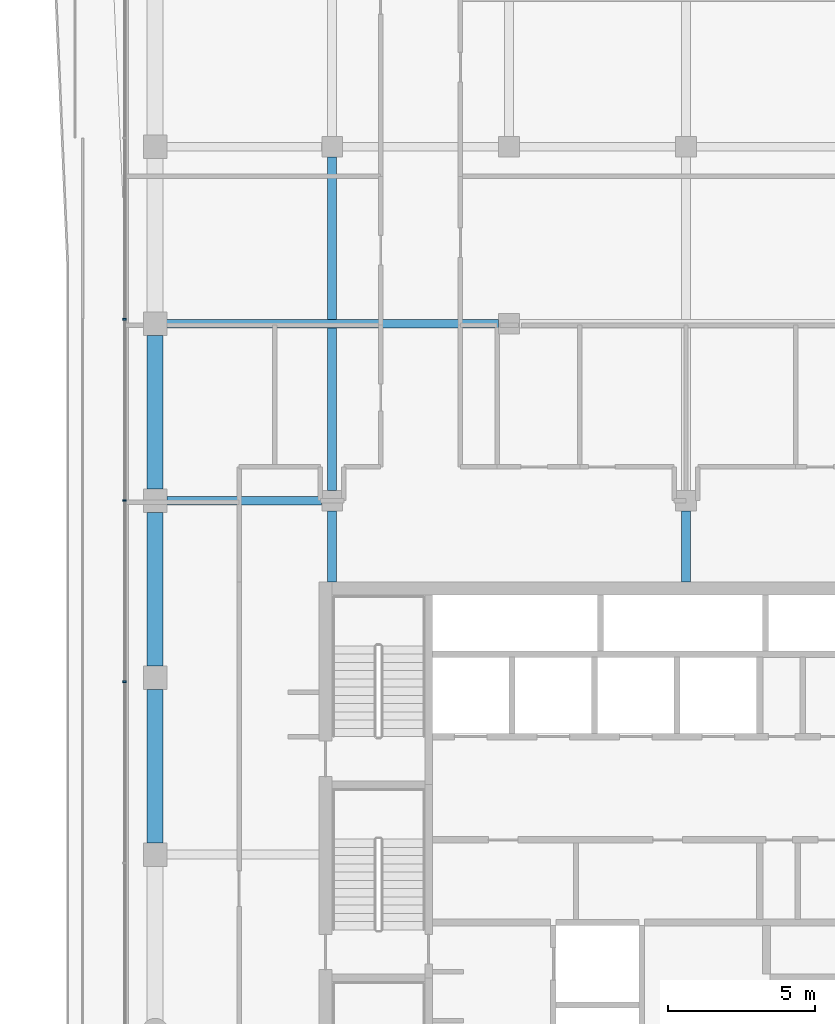
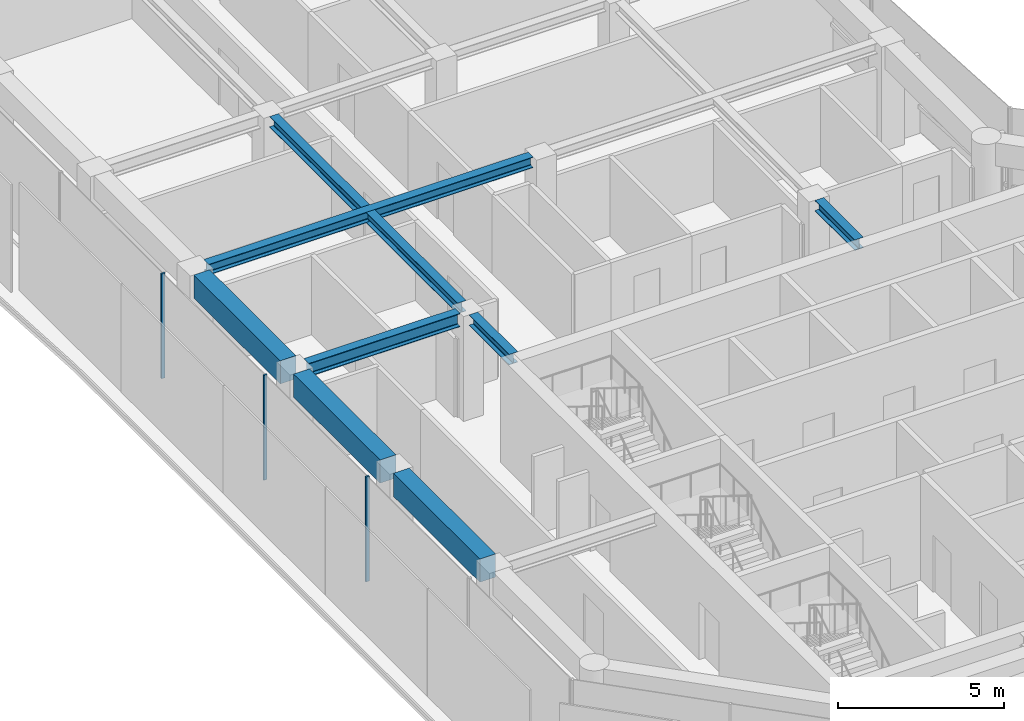
# One storey, part 4 of 21: 8 beams, 3 members, 1 element without a shape of its own.
"""IFC4 building model written with IfcOpenShell, lengths in metres."""

from ifc_helpers import new_model, si_unit, direction, frame, origin, origin_2d, place, context, subcontext, project, spatial, rectangle, i_section, extrude, material, layer, layer_set, material_profile, profile_set, type_object, element, aggregate, save


model = new_model("IFC4")

# Units and contexts
model_context = context("Model", 3, precision=1e-05, world=origin(), true_north=direction((0.0, 1.0)))
body_context = subcontext(model_context, "Body", "Model", "MODEL_VIEW")
ifc_project = project(units=[si_unit("LENGTHUNIT", "METRE"), si_unit("AREAUNIT", "SQUARE_METRE"), si_unit("VOLUMEUNIT", "CUBIC_METRE"), si_unit("PLANEANGLEUNIT", "RADIAN"), si_unit("MASSUNIT", "GRAM", prefix="KILO")], contexts=[model_context])

# Site, building, storey
site_placement = place(None, origin())
site = spatial("IfcSite", under=ifc_project, at=site_placement, CompositionType="ELEMENT")
building_placement = place(site_placement, origin())
building = spatial("IfcBuilding", under=site, at=building_placement, Name="Welwitschia Terrace Campus", CompositionType="ELEMENT")
storey_placement = place(building_placement, frame((0.0, 0.0, 218.0)))
storey = spatial("IfcBuildingStorey", under=building, at=storey_placement, Name="L48", CompositionType="ELEMENT", Elevation=218.0)

# Beams
ifc_material_1 = material(Name="Steel S355", Category="steel")
ifc_material_profile_1 = material_profile(ifc_material_1, i_section(OverallWidth=0.300048828125, OverallDepth=0.389892578125, WebThickness=0.010986328125, FlangeThickness=0.01904296875, FilletRadius=0.027099609375, at=origin_2d()))
ifc_profile_set_1 = profile_set([ifc_material_profile_1], Name="Steel S355")
beam_type_1 = type_object("IfcBeamType", Name="Interior girder HE 400 A", PredefinedType="BEAM", material=ifc_profile_set_1)
beam_1_placement = place(storey_placement, frame((0.390380859375, 34.0, 3.655029296875), z_axis=(1.0, 0.0, 0.0), x_axis=(0.0, 1.0, 0.0)))
element("IfcBeam", 1, at=beam_1_placement, inside=storey, type_object=beam_type_1, Name="Girder GB5", PredefinedType="BEAM", context=body_context, shape_type="SweptSolid", body=[
    extrude(i_section(OverallWidth=0.300048828125, OverallDepth=0.389892578125, WebThickness=0.010986328125, FlangeThickness=0.01904296875, FilletRadius=0.027099609375, at=origin_2d()), origin(), (0.0, 0.0, 1.0), 11.259033203125),
])
beam_2_placement = place(storey_placement, frame((6.0, 25.2509765625, 3.655029296875), z_axis=(0.0, 1.0, 0.0), x_axis=(-1.0, 0.0, 0.0)))
element("IfcBeam", 2, at=beam_2_placement, inside=storey, type_object=beam_type_1, Name="Girder GB5", PredefinedType="BEAM", context=body_context, shape_type="SweptSolid", body=[
    extrude(i_section(OverallWidth=0.300048828125, OverallDepth=0.389892578125, WebThickness=0.010986328125, FlangeThickness=0.01904296875, FilletRadius=0.027099609375, at=origin_2d()), origin(), (0.0, 0.0, 1.0), 2.3984375),
])
beam_3_placement = place(storey_placement, frame((6.0, 28.3505859375, 3.655029296875), z_axis=(0.0, 1.0, 0.0), x_axis=(-1.0, 0.0, 0.0)))
element("IfcBeam", 3, at=beam_3_placement, inside=storey, type_object=beam_type_1, Name="Girder GB5", PredefinedType="BEAM", context=body_context, shape_type="SweptSolid", body=[
    extrude(i_section(OverallWidth=0.300048828125, OverallDepth=0.389892578125, WebThickness=0.010986328125, FlangeThickness=0.01904296875, FilletRadius=0.027099609375, at=origin_2d()), origin(), (0.0, 0.0, 1.0), 11.298828125),
])
beam_4_placement = place(storey_placement, frame((18.0, 25.2509765625, 3.655029296875), z_axis=(0.0, 1.0, 0.0), x_axis=(-1.0, 0.0, 0.0)))
element("IfcBeam", 4, at=beam_4_placement, inside=storey, type_object=beam_type_1, Name="Girder GB5", PredefinedType="BEAM", context=body_context, shape_type="SweptSolid", body=[
    extrude(i_section(OverallWidth=0.300048828125, OverallDepth=0.389892578125, WebThickness=0.010986328125, FlangeThickness=0.01904296875, FilletRadius=0.027099609375, at=origin_2d()), origin(), (0.0, 0.0, 1.0), 2.3984375),
])

# Curtain wall, members
ifc_material_2 = material(Name="Bronze anodised aluminium", Category="aluminium")
ifc_layer = layer(ifc_material_2, 0.1201171875)
ifc_layer_set = layer_set([ifc_layer], Name="Bronze anodised aluminium")
curtain_wall_type = type_object("IfcCurtainWallType", Name="Curtain wall CW2 tower 6000", PredefinedType="NOTDEFINED", material=ifc_layer_set)
curtain_wall_placement = place(storey_placement, origin())
curtain_wall = element("IfcCurtainWall", 5, at=curtain_wall_placement, inside=storey, type_object=curtain_wall_type, Name="CW L48.9.0", PredefinedType="NOTDEFINED")
ifc_material_3 = material(Name="Bronze anodised aluminium", Category="aluminium")
ifc_material_profile_2 = material_profile(ifc_material_3, rectangle(XDim=0.1201171875, YDim=0.06005859375, at=origin_2d()))
ifc_profile_set_2 = profile_set([ifc_material_profile_2], Name="Bronze anodised aluminium")
member_type = type_object("IfcMemberType", Name="Mullion 60x120", PredefinedType="MULLION", material=ifc_profile_set_2)
member_1_placement = place(storey_placement, frame((-1.030029296875, 34.156005859375, 0.0), z_axis=(0.0, 0.0, 1.0), x_axis=(1.0, 0.0, 0.0)))
member_1 = element("IfcMember", 6, at=member_1_placement, type_object=member_type, Name="Mullion L48.9.0.6", PredefinedType="MULLION", context=body_context, shape_type="SweptSolid", body=[
    extrude(rectangle(XDim=0.1201171875, YDim=0.06005859375, at=origin_2d()), origin(), (0.0, 0.0, 1.0), 3.85009765625),
])
member_2_placement = place(storey_placement, frame((-1.030029296875, 28.01025390625, 0.0), z_axis=(0.0, 0.0, 1.0), x_axis=(1.0, 0.0, 0.0)))
member_2 = element("IfcMember", 7, at=member_2_placement, type_object=member_type, Name="Mullion L48.9.0.7", PredefinedType="MULLION", context=body_context, shape_type="SweptSolid", body=[
    extrude(rectangle(XDim=0.1201171875, YDim=0.06005859375, at=origin_2d()), origin(), (0.0, 0.0, 1.0), 3.85009765625),
])
member_3_placement = place(storey_placement, frame((-1.030029296875, 21.86474609375, 0.0), z_axis=(0.0, 0.0, 1.0), x_axis=(1.0, 0.0, 0.0)))
member_3 = element("IfcMember", 8, at=member_3_placement, type_object=member_type, Name="Mullion L48.9.0.8", PredefinedType="MULLION", context=body_context, shape_type="SweptSolid", body=[
    extrude(rectangle(XDim=0.1201171875, YDim=0.06005859375, at=origin_2d()), origin(), (0.0, 0.0, 1.0), 3.85009765625),
])
aggregate(curtain_wall, [member_1, member_2, member_3])

# Beams
ifc_material_4 = material(Name="Steel S355", Category="steel")
ifc_material_profile_3 = material_profile(ifc_material_4, i_section(OverallWidth=0.300048828125, OverallDepth=0.489990234375, WebThickness=0.011962890625, FlangeThickness=0.02294921875, FilletRadius=0.027099609375, at=origin_2d()))
ifc_profile_set_3 = profile_set([ifc_material_profile_3], Name="Steel S355")
beam_type_2 = type_object("IfcBeamType", Name="Primary beam HE 500 A", PredefinedType="BEAM", material=ifc_profile_set_3)
beam_5_placement = place(storey_placement, frame((0.400390625, 28.0, 3.60498046875), z_axis=(1.0, 0.0, 0.0), x_axis=(0.0, 1.0, 0.0)))
element("IfcBeam", 9, at=beam_5_placement, inside=storey, type_object=beam_type_2, Name="Primary beam PB5", PredefinedType="BEAM", context=body_context, shape_type="SweptSolid", body=[
    extrude(i_section(OverallWidth=0.300048828125, OverallDepth=0.489990234375, WebThickness=0.011962890625, FlangeThickness=0.02294921875, FilletRadius=0.027099609375, at=origin_2d()), origin(), (0.0, 0.0, 1.0), 5.2490234375),
])
ifc_material_5 = material(Name="Concrete C50/60", Category="concrete")
ifc_material_profile_4 = material_profile(ifc_material_5, rectangle(XDim=0.550048828125, YDim=0.85009765625, at=origin_2d()))
ifc_profile_set_4 = profile_set([ifc_material_profile_4], Name="Concrete C50/60")
beam_type_3 = type_object("IfcBeamType", Name="Ring spandrel 550x850", PredefinedType="SPANDREL", material=ifc_profile_set_4)
for number, where, z_axis, x_axis, name in (
    (10, (0.0, 33.599609375, 3.425048828125), (0.0, -1.0, 0.0), (1.0, 0.0, 0.0), "Spandrel SP3"),
    (11, (0.0, 27.599609375, 3.425048828125), (0.0, -1.0, 0.0), (1.0, 0.0, 0.0), "Spandrel SP3"),
    (12, (0.0, 21.599609375, 3.425048828125), (0.0, -1.0, 0.0), (1.0, 0.0, 0.0), "Spandrel SP3"),
):
    element("IfcBeam", number, at=place(storey_placement, frame(where, z_axis=z_axis, x_axis=x_axis)), inside=storey, type_object=beam_type_3, Name=name, PredefinedType="SPANDREL", context=body_context, shape_type="SweptSolid", body=[
        extrude(rectangle(XDim=0.550048828125, YDim=0.85009765625, at=origin_2d()), origin(), (0.0, 0.0, 1.0), 5.19921875),
    ])

save(model, "model.ifc")
